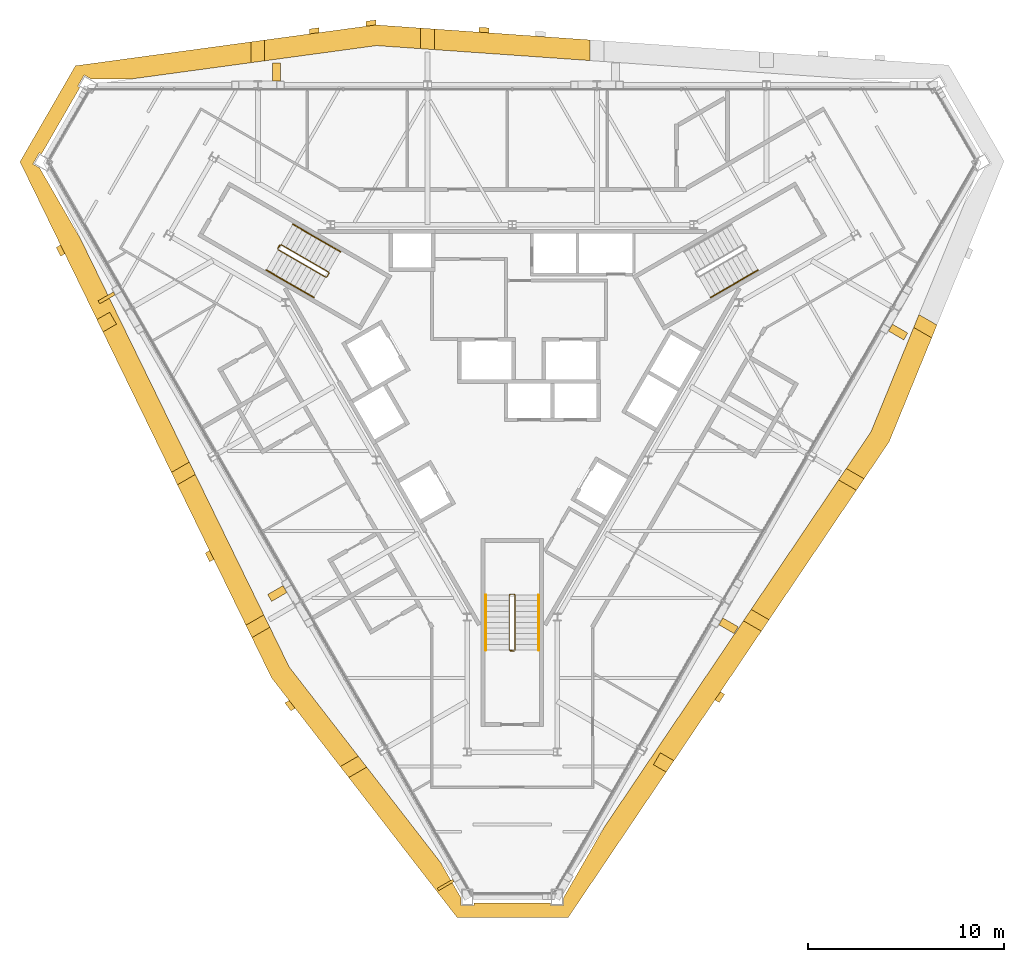
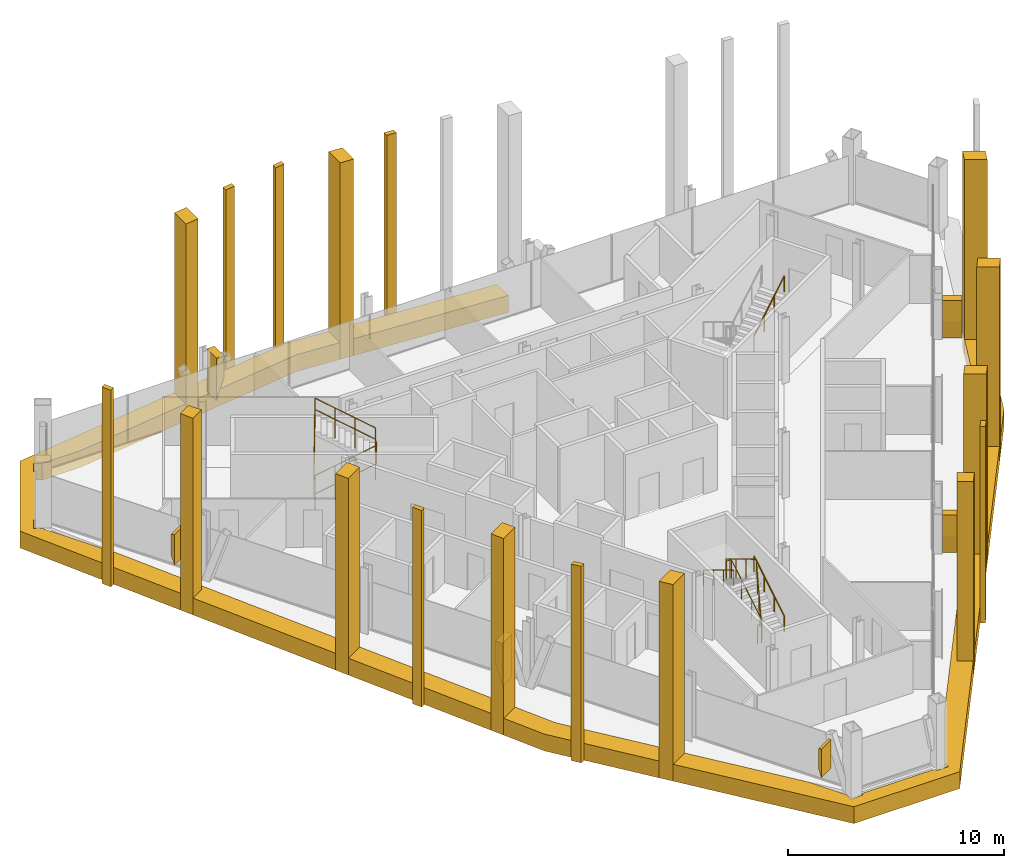
# One storey, part 13 of 14: 31 coverings, 7 railings.
"""IFC4 building model written with IfcOpenShell, lengths in metres."""

from ifc_helpers import new_model, si_unit, direction, frame, origin, origin_2d, place, context, subcontext, project, spatial, polyline, circle, outline, extrude, material, layer, layer_set, type_object, element, save


model = new_model("IFC4")

# Units and contexts
model_context = context("Model", 3, precision=1e-05, world=origin(), true_north=direction((0.0, 1.0)))
body_context = subcontext(model_context, "Body", "Model", "MODEL_VIEW")
ifc_project = project(units=[si_unit("LENGTHUNIT", "METRE"), si_unit("AREAUNIT", "SQUARE_METRE"), si_unit("VOLUMEUNIT", "CUBIC_METRE"), si_unit("PLANEANGLEUNIT", "RADIAN"), si_unit("MASSUNIT", "GRAM", prefix="KILO")], contexts=[model_context])

# Site, building, storey
site_placement = place(None, origin())
site = spatial("IfcSite", under=ifc_project, at=site_placement, CompositionType="ELEMENT")
building_placement = place(site_placement, origin())
building = spatial("IfcBuilding", under=site, at=building_placement, Name="Verrane Prism Tower", CompositionType="ELEMENT")
storey_placement = place(building_placement, frame((0.0, 0.0, 206.39990234375)))
storey = spatial("IfcBuildingStorey", under=building, at=storey_placement, Name="L51", CompositionType="ELEMENT", Elevation=206.39990234375)

# Railings
ifc_material_1 = material(Name="Steel A36 rail and posts, no infill", Category="steel")
railing_type_1 = type_object("IfcRailingType", Name="Stair guard 1100 steel rail and posts", PredefinedType="GUARDRAIL", material=ifc_material_1)
railing_1_placement = place(storey_placement, frame((-11.939453125, 6.72021484375, 0.168212890625)))
element("IfcRailing", 1, at=railing_1_placement, inside=storey, type_object=railing_type_1, Name="Stair 2 guard", PredefinedType="GUARDRAIL", context=body_context, shape_type="SweptSolid", body=[
    extrude(circle(Radius=0.02392578125, at=origin_2d()), frame((0.0, 0.0, 1.076171875), z_axis=(0.742366697286, -0.42866220388, 0.514917859203), x_axis=(0.500049511043, 0.865996816683, 0.0)), (0.0, 0.0, 1.0), 3.266357421875),
    extrude(circle(Radius=0.02392578125, at=origin_2d()), frame((2.4248046875, -1.400146484375, 2.7578125), z_axis=(0.965948051503, 0.258736085224, 0.0), x_axis=(-0.258736085224, 0.965948051503, 0.0)), (0.0, 0.0, 1.0), 0.07080078125),
    extrude(circle(Radius=0.02392578125, at=origin_2d()), frame((2.4931640625, -1.3818359375, 2.7578125), z_axis=(0.499158860599, 0.866510491504, 0.0), x_axis=(-0.866510491504, 0.499158860599, 0.0)), (0.0, 0.0, 1.0), 0.199951171875),
    extrude(circle(Radius=0.02392578125, at=origin_2d()), frame((2.593017578125, -1.20849609375, 2.7578125), z_axis=(-0.100385596638, 0.373434419493, 0.922209014446), x_axis=(-0.965715946433, -0.259601060869, 0.0)), (0.0, 0.0, 1.0), 0.182373046875),
    extrude(circle(Radius=0.02392578125, at=origin_2d()), frame((2.57470703125, -1.140380859375, 2.92626953125), z_axis=(-0.742366697286, 0.42866220388, 0.514917859203), x_axis=(-0.500049511043, -0.865996816683, 0.0)), (0.0, 0.0, 1.0), 3.266357421875),
    extrude(circle(Radius=0.02392578125, at=origin_2d()), frame((0.14990234375, 0.259765625, 4.60791015625), z_axis=(-0.045352972709, -0.05167210969, -0.997633750906), x_axis=(0.751567565678, -0.659656118156, 0.0)), (0.0, 0.0, 1.0), 3.708984375),
    extrude(circle(Radius=0.02392578125, at=origin_2d()), frame((-0.018310546875, 0.068115234375, 0.90771484375), z_axis=(0.499158860599, 0.866510491504, 0.0), x_axis=(-0.866510491504, 0.499158860599, 0.0)), (0.0, 0.0, 1.0), 0.199951171875),
    extrude(circle(Radius=0.02099609375, at=origin_2d()), origin(), (0.0, 0.0, 1.0), 1.052001953125),
    extrude(circle(Radius=0.02099609375, at=origin_2d()), frame((0.808349609375, -0.466796875, 0.560546875)), (0.0, 0.0, 1.0), 1.052001953125),
    extrude(circle(Radius=0.02099609375, at=origin_2d()), frame((1.616455078125, -0.933349609375, 1.121337890625)), (0.0, 0.0, 1.0), 1.052001953125),
    extrude(circle(Radius=0.02099609375, at=origin_2d()), frame((2.4248046875, -1.400146484375, 1.681884765625)), (0.0, 0.0, 1.0), 1.052001953125),
    extrude(circle(Radius=0.02099609375, at=origin_2d()), frame((2.4931640625, -1.3818359375, 1.681884765625)), (0.0, 0.0, 1.0), 1.052001953125),
    extrude(circle(Radius=0.02099609375, at=origin_2d()), frame((2.593017578125, -1.20849609375, 1.681884765625)), (0.0, 0.0, 1.0), 1.052001953125),
    extrude(circle(Radius=0.02099609375, at=origin_2d()), frame((2.57470703125, -1.140380859375, 1.85009765625)), (0.0, 0.0, 1.0), 1.052001953125),
    extrude(circle(Radius=0.02099609375, at=origin_2d()), frame((1.766357421875, -0.673583984375, 2.41064453125)), (0.0, 0.0, 1.0), 1.052001953125),
    extrude(circle(Radius=0.02099609375, at=origin_2d()), frame((0.958251953125, -0.20703125, 2.971435546875)), (0.0, 0.0, 1.0), 1.052001953125),
    extrude(circle(Radius=0.02099609375, at=origin_2d()), frame((0.14990234375, 0.259765625, 3.531982421875)), (0.0, 0.0, 1.0), 1.052001953125),
    extrude(circle(Radius=0.02099609375, at=origin_2d()), frame((0.10791015625, 0.2119140625, 2.60693359375)), (0.0, 0.0, 1.0), 1.052001953125),
    extrude(circle(Radius=0.02099609375, at=origin_2d()), frame((0.06591796875, 0.1640625, 1.681884765625)), (0.0, 0.0, 1.0), 1.052001953125),
    extrude(circle(Radius=0.02099609375, at=origin_2d()), frame((0.023681640625, 0.115966796875, 0.7568359375)), (0.0, 0.0, 1.0), 1.052001953125),
    extrude(circle(Radius=0.02099609375, at=origin_2d()), frame((-0.018310546875, 0.068115234375, -0.168212890625)), (0.0, 0.0, 1.0), 1.052001953125),
    extrude(circle(Radius=0.02099609375, at=origin_2d()), frame((0.08154296875, 0.241455078125, -0.168212890625)), (0.0, 0.0, 1.0), 1.052001953125),
])
railing_2_placement = place(storey_placement, frame((0.14990234375, -13.699951171875, 0.168212890625)))
element("IfcRailing", 2, at=railing_2_placement, inside=storey, type_object=railing_type_1, Name="Stair 3 guard", PredefinedType="GUARDRAIL", context=body_context, shape_type="SweptSolid", body=[
    extrude(circle(Radius=0.02392578125, at=origin_2d()), frame((0.0, 0.0, 1.076171875), z_axis=(0.0, 0.857242210791, 0.514913383045), x_axis=(-1.0, 0.0, 0.0)), (0.0, 0.0, 1.0), 3.266357421875),
    extrude(circle(Radius=0.02392578125, at=origin_2d()), frame((0.0, 2.800048828125, 2.7578125), z_axis=(-0.707106781187, 0.707106781187, 0.0), x_axis=(-0.707106781187, -0.707106781187, 0.0)), (0.0, 0.0, 1.0), 0.0703125),
    extrude(circle(Radius=0.02392578125, at=origin_2d()), frame((-0.0498046875, 2.849853515625, 2.7578125), z_axis=(-1.0, 0.0, 0.0), x_axis=(0.0, -1.0, 0.0)), (0.0, 0.0, 1.0), 0.2001953125),
    extrude(circle(Radius=0.02392578125, at=origin_2d()), frame((-0.25, 2.849853515625, 2.7578125), z_axis=(-0.273106073848, -0.273106073848, 0.922402376869), x_axis=(0.707106781187, -0.707106781187, 0.0)), (0.0, 0.0, 1.0), 0.182373046875),
    extrude(circle(Radius=0.02392578125, at=origin_2d()), frame((-0.2998046875, 2.800048828125, 2.92626953125), z_axis=(0.0, -0.857242210791, 0.514913383045), x_axis=(1.0, 0.0, 0.0)), (0.0, 0.0, 1.0), 3.266357421875),
    extrude(circle(Radius=0.02392578125, at=origin_2d()), frame((-0.2998046875, 0.0, 4.60791015625), z_axis=(0.067404178178, -0.013494000514, -0.997634496554), x_axis=(0.196300278283, 0.98054382908, 0.0)), (0.0, 0.0, 1.0), 3.708984375),
    extrude(circle(Radius=0.02392578125, at=origin_2d()), frame((-0.0498046875, -0.050048828125, 0.90771484375), z_axis=(-1.0, 0.0, 0.0), x_axis=(0.0, -1.0, 0.0)), (0.0, 0.0, 1.0), 0.2001953125),
    extrude(circle(Radius=0.02099609375, at=origin_2d()), origin(), (0.0, 0.0, 1.0), 1.052001953125),
    extrude(circle(Radius=0.02099609375, at=origin_2d()), frame((0.0, 0.933349609375, 0.560546875)), (0.0, 0.0, 1.0), 1.052001953125),
    extrude(circle(Radius=0.02099609375, at=origin_2d()), frame((0.0, 1.86669921875, 1.121337890625)), (0.0, 0.0, 1.0), 1.052001953125),
    extrude(circle(Radius=0.02099609375, at=origin_2d()), frame((0.0, 2.800048828125, 1.681884765625)), (0.0, 0.0, 1.0), 1.052001953125),
    extrude(circle(Radius=0.02099609375, at=origin_2d()), frame((-0.0498046875, 2.849853515625, 1.681884765625)), (0.0, 0.0, 1.0), 1.052001953125),
    extrude(circle(Radius=0.02099609375, at=origin_2d()), frame((-0.25, 2.849853515625, 1.681884765625)), (0.0, 0.0, 1.0), 1.052001953125),
    extrude(circle(Radius=0.02099609375, at=origin_2d()), frame((-0.2998046875, 2.800048828125, 1.85009765625)), (0.0, 0.0, 1.0), 1.052001953125),
    extrude(circle(Radius=0.02099609375, at=origin_2d()), frame((-0.2998046875, 1.86669921875, 2.41064453125)), (0.0, 0.0, 1.0), 1.052001953125),
    extrude(circle(Radius=0.02099609375, at=origin_2d()), frame((-0.2998046875, 0.933349609375, 2.971435546875)), (0.0, 0.0, 1.0), 1.052001953125),
    extrude(circle(Radius=0.02099609375, at=origin_2d()), frame((-0.2998046875, 0.0, 3.531982421875)), (0.0, 0.0, 1.0), 1.052001953125),
    extrude(circle(Radius=0.02099609375, at=origin_2d()), frame((-0.2373046875, -0.012451171875, 2.60693359375)), (0.0, 0.0, 1.0), 1.052001953125),
    extrude(circle(Radius=0.02099609375, at=origin_2d()), frame((-0.1748046875, -0.02490234375, 1.681884765625)), (0.0, 0.0, 1.0), 1.052001953125),
    extrude(circle(Radius=0.02099609375, at=origin_2d()), frame((-0.1123046875, -0.03759765625, 0.7568359375)), (0.0, 0.0, 1.0), 1.052001953125),
    extrude(circle(Radius=0.02099609375, at=origin_2d()), frame((-0.0498046875, -0.050048828125, -0.168212890625)), (0.0, 0.0, 1.0), 1.052001953125),
    extrude(circle(Radius=0.02099609375, at=origin_2d()), frame((-0.25, -0.050048828125, -0.168212890625)), (0.0, 0.0, 1.0), 1.052001953125),
])
ifc_material_2 = material(Name="Steel A36 tube", Category="steel")
railing_type_2 = type_object("IfcRailingType", Name="Stair handrail 900 steel tube", PredefinedType="HANDRAIL", material=ifc_material_2)
railing_3_placement = place(storey_placement, frame((10.11474609375, 4.28076171875, 2.018310546875)))
element("IfcRailing", 3, at=railing_3_placement, inside=storey, type_object=railing_type_2, Name="Stair 1 handrail", PredefinedType="HANDRAIL", context=body_context, shape_type="SweptSolid", body=[
    extrude(circle(Radius=0.02392578125, at=origin_2d()), frame((0.0, 0.0, 0.8759765625), z_axis=(0.742366697286, 0.42866220388, 0.514917859203), x_axis=(-0.500049511043, 0.865996816683, 0.0)), (0.0, 0.0, 1.0), 3.266357421875),
    extrude(circle(Radius=0.02099609375, at=origin_2d()), origin(), (0.0, 0.0, 1.0), 0.851806640625),
    extrude(circle(Radius=0.02099609375, at=origin_2d()), frame((0.808349609375, 0.466796875, 0.560546875)), (0.0, 0.0, 1.0), 0.851806640625),
    extrude(circle(Radius=0.02099609375, at=origin_2d()), frame((1.616455078125, 0.933349609375, 1.121337890625)), (0.0, 0.0, 1.0), 0.851806640625),
    extrude(circle(Radius=0.02099609375, at=origin_2d()), frame((2.4248046875, 1.400146484375, 1.681884765625)), (0.0, 0.0, 1.0), 0.851806640625),
])
railing_4_placement = place(storey_placement, frame((-12.53955078125, 5.680908203125, 0.168212890625)))
element("IfcRailing", 4, at=railing_4_placement, inside=storey, type_object=railing_type_2, Name="Stair 2 handrail", PredefinedType="HANDRAIL", context=body_context, shape_type="SweptSolid", body=[
    extrude(circle(Radius=0.02392578125, at=origin_2d()), frame((0.0, 0.0, 0.8759765625), z_axis=(0.742366697286, -0.42866220388, 0.514917859203), x_axis=(0.500049511043, 0.865996816683, 0.0)), (0.0, 0.0, 1.0), 3.266357421875),
    extrude(circle(Radius=0.02099609375, at=origin_2d()), origin(), (0.0, 0.0, 1.0), 0.851806640625),
    extrude(circle(Radius=0.02099609375, at=origin_2d()), frame((0.808349609375, -0.466796875, 0.560546875)), (0.0, 0.0, 1.0), 0.851806640625),
    extrude(circle(Radius=0.02099609375, at=origin_2d()), frame((1.616455078125, -0.933349609375, 1.121337890625)), (0.0, 0.0, 1.0), 0.851806640625),
    extrude(circle(Radius=0.02099609375, at=origin_2d()), frame((2.4248046875, -1.400146484375, 1.681884765625)), (0.0, 0.0, 1.0), 0.851806640625),
])
railing_5_placement = place(storey_placement, frame((-8.7646484375, 6.619140625, 2.018310546875)))
element("IfcRailing", 5, at=railing_5_placement, inside=storey, type_object=railing_type_2, Name="Stair 2 handrail", PredefinedType="HANDRAIL", context=body_context, shape_type="SweptSolid", body=[
    extrude(circle(Radius=0.02392578125, at=origin_2d()), frame((0.0, 0.0, 0.8759765625), z_axis=(-0.742390482028, 0.42860119049, 0.514934356695), x_axis=(-0.49998411664, -0.866034573852, 0.0)), (0.0, 0.0, 1.0), 3.26611328125),
    extrude(circle(Radius=0.02099609375, at=origin_2d()), origin(), (0.0, 0.0, 1.0), 0.851806640625),
    extrude(circle(Radius=0.02099609375, at=origin_2d()), frame((-0.808349609375, 0.466552734375, 0.560546875)), (0.0, 0.0, 1.0), 0.851806640625),
    extrude(circle(Radius=0.02099609375, at=origin_2d()), frame((-1.616455078125, 0.933349609375, 1.121337890625)), (0.0, 0.0, 1.0), 0.851806640625),
    extrude(circle(Radius=0.02099609375, at=origin_2d()), frame((-2.4248046875, 1.39990234375, 1.681884765625)), (0.0, 0.0, 1.0), 0.851806640625),
])
railing_6_placement = place(storey_placement, frame((1.35009765625, -13.699951171875, 0.168212890625)))
element("IfcRailing", 6, at=railing_6_placement, inside=storey, type_object=railing_type_2, Name="Stair 3 handrail", PredefinedType="HANDRAIL", context=body_context, shape_type="SweptSolid", body=[
    extrude(circle(Radius=0.02392578125, at=origin_2d()), frame((0.0, 0.0, 0.8759765625), z_axis=(0.0, 0.857242210791, 0.514913383045), x_axis=(-1.0, 0.0, 0.0)), (0.0, 0.0, 1.0), 3.266357421875),
    extrude(circle(Radius=0.02099609375, at=origin_2d()), origin(), (0.0, 0.0, 1.0), 0.851806640625),
    extrude(circle(Radius=0.02099609375, at=origin_2d()), frame((0.0, 0.933349609375, 0.560546875)), (0.0, 0.0, 1.0), 0.851806640625),
    extrude(circle(Radius=0.02099609375, at=origin_2d()), frame((0.0, 1.86669921875, 1.121337890625)), (0.0, 0.0, 1.0), 0.851806640625),
    extrude(circle(Radius=0.02099609375, at=origin_2d()), frame((0.0, 2.800048828125, 1.681884765625)), (0.0, 0.0, 1.0), 0.851806640625),
])
railing_7_placement = place(storey_placement, frame((-1.35009765625, -10.89990234375, 2.018310546875)))
element("IfcRailing", 7, at=railing_7_placement, inside=storey, type_object=railing_type_2, Name="Stair 3 handrail", PredefinedType="HANDRAIL", context=body_context, shape_type="SweptSolid", body=[
    extrude(circle(Radius=0.02392578125, at=origin_2d()), frame((0.0, 0.0, 0.8759765625), z_axis=(0.0, -0.857242210791, 0.514913383045), x_axis=(1.0, 0.0, 0.0)), (0.0, 0.0, 1.0), 3.266357421875),
    extrude(circle(Radius=0.02099609375, at=origin_2d()), origin(), (0.0, 0.0, 1.0), 0.851806640625),
    extrude(circle(Radius=0.02099609375, at=origin_2d()), frame((0.0, -0.933349609375, 0.560546875)), (0.0, 0.0, 1.0), 0.851806640625),
    extrude(circle(Radius=0.02099609375, at=origin_2d()), frame((0.0, -1.86669921875, 1.121337890625)), (0.0, 0.0, 1.0), 0.851806640625),
    extrude(circle(Radius=0.02099609375, at=origin_2d()), frame((0.0, -2.800048828125, 1.681884765625)), (0.0, 0.0, 1.0), 0.851806640625),
])

# Coverings
ifc_material_3 = material(Name="Warm limestone cladding", Category="masonry")
ifc_layer_1 = layer(ifc_material_3, 0.89990234375)
ifc_layer_set_1 = layer_set([ifc_layer_1], Name="Stone brace fin 900")
covering_type_1 = type_object("IfcCoveringType", Name="Stone brace fin 900", PredefinedType="CLADDING", material=ifc_layer_set_1)
covering_1_placement = place(storey_placement, frame((-12.2216796875, 15.783203125, 0.35107421875), z_axis=(0.0, 0.0, 1.0), x_axis=(1.0, 0.0, 0.0)))
element("IfcCovering", 8, at=covering_1_placement, inside=storey, type_object=covering_type_1, Name="Stone brace fin N4 L51", PredefinedType="CLADDING", context=body_context, shape_type="SweptSolid", body=[
    extrude(outline(polyline([(0.4033203125, 2.39892578125), (0.0, 2.39892578125), (0.0, 0.0), (0.4033203125, 1.2080078125), (0.4033203125, 2.39892578125)])), frame((0.0, 0.449951171875, 0.0), z_axis=(0.0, -1.0, 0.0), x_axis=(1.0, 0.0, 0.0)), (0.0, 0.0, 1.0), 0.89990234375),
])
covering_2_placement = place(storey_placement, frame((-20.643310546875, 4.18896484375, 1.033203125), z_axis=(0.0, 0.0, 1.0), x_axis=(-0.499883169583, 0.866092845351, 0.0)))
element("IfcCovering", 9, at=covering_2_placement, inside=storey, type_object=covering_type_1, Name="Stone brace fin SW1 L51", PredefinedType="CLADDING", context=body_context, shape_type="SweptSolid", body=[
    extrude(outline(polyline([(0.17529296875, 1.716796875), (0.0, 1.716796875), (0.0, 0.0), (0.17529296875, 0.525390625), (0.17529296875, 1.716796875)])), frame((0.0, 0.449951171875, 0.0), z_axis=(0.0, -1.0, 0.0), x_axis=(1.0, 0.0, 0.0)), (0.0, 0.0, 1.0), 0.89990234375),
])
covering_3_placement = place(storey_placement, frame((-11.8798828125, -10.989013671875, 0.351318359375), z_axis=(0.0, 0.0, 1.0), x_axis=(-0.501083980585, 0.865398662121, 0.0)))
element("IfcCovering", 10, at=covering_3_placement, inside=storey, type_object=covering_type_1, Name="Stone brace fin SW3 L51", PredefinedType="CLADDING", context=body_context, shape_type="SweptSolid", body=[
    extrude(outline(polyline([(0.403564453125, 2.398681640625), (0.0, 2.398681640625), (0.0, 0.0), (0.403564453125, 1.2080078125), (0.403564453125, 2.398681640625)])), frame((0.0, 0.449951171875, 0.0), z_axis=(0.0, -1.0, 0.0), x_axis=(1.0, 0.0, 0.0)), (0.0, 0.0, 1.0), 0.89990234375),
])
covering_4_placement = place(storey_placement, frame((-3.36181640625, -25.7412109375, 1.13916015625), z_axis=(0.0, 0.0, 1.0), x_axis=(-0.500074377092, 0.865982457891, 0.0)))
element("IfcCovering", 11, at=covering_4_placement, inside=storey, type_object=covering_type_1, Name="Stone brace fin SW5 L51", PredefinedType="CLADDING", context=body_context, shape_type="SweptSolid", body=[
    extrude(outline(polyline([(0.140380859375, 1.61083984375), (0.0, 1.61083984375), (0.0, 0.0), (0.140380859375, 0.420166015625), (0.140380859375, 1.61083984375)])), frame((0.0, 0.449951171875, 0.0), z_axis=(0.0, -1.0, 0.0), x_axis=(1.0, 0.0, 0.0)), (0.0, 0.0, 1.0), 0.89990234375),
])
for number, where, z_axis, x_axis, name in (
    (12, (11.132080078125, -12.2841796875, 0.3505859375), (0.0, 0.0, 1.0), (-0.499460378964, -0.866336730057, 0.0), "Stone brace fin SE2 L51"),
    (13, (19.7822265625, 2.69580078125, 0.3505859375), (0.0, 0.0, 1.0), (-0.499460378964, -0.866336730057, 0.0), "Stone brace fin SE4 L51"),
):
    element("IfcCovering", number, at=place(storey_placement, frame(where, z_axis=z_axis, x_axis=x_axis)), inside=storey, type_object=covering_type_1, Name=name, PredefinedType="CLADDING", context=body_context, shape_type="SweptSolid", body=[
        extrude(outline(polyline([(0.4033203125, 2.3994140625), (0.0, 2.3994140625), (0.0, 0.0), (0.4033203125, 1.2080078125), (0.4033203125, 2.3994140625)])), frame((0.0, 0.449951171875, 0.0), z_axis=(0.0, -1.0, 0.0), x_axis=(1.0, 0.0, 0.0)), (0.0, 0.0, 1.0), 0.89990234375),
    ])
ifc_material_4 = material(Name="Warm limestone cladding", Category="masonry")
covering_type_2 = type_object("IfcCoveringType", Name="Stone mullion pier 500", PredefinedType="CLADDING", material=ifc_material_4)
covering_5_placement = place(storey_placement, frame((0.0, 0.0, -0.949951171875)))
element("IfcCovering", 14, at=covering_5_placement, inside=storey, type_object=covering_type_2, Name="Stone pier SM-N2.2 L51-L53", PredefinedType="CLADDING", context=body_context, shape_type="SweptSolid", body=[
    extrude(outline(polyline([(-1.691650390625, 17.81640625), (-1.191650390625, 17.78125), (-1.191650390625, 18.03173828125), (-1.691650390625, 18.06689453125), (-1.691650390625, 17.81640625)])), origin(), (0.0, 0.0, 1.0), 11.10009765625),
])
covering_6_placement = place(storey_placement, frame((0.0, 0.0, -0.949951171875)))
element("IfcCovering", 15, at=covering_6_placement, inside=storey, type_object=covering_type_2, Name="Stone pier SM-N3.1 L51-L53", PredefinedType="CLADDING", context=body_context, shape_type="SweptSolid", body=[
    extrude(outline(polyline([(-7.4580078125, 18.116455078125), (-6.9580078125, 18.1845703125), (-6.9580078125, 18.435791015625), (-6.96240234375, 18.436279296875), (-7.4580078125, 18.368896484375), (-7.4580078125, 18.116455078125)])), origin(), (0.0, 0.0, 1.0), 11.10009765625),
])
covering_7_placement = place(storey_placement, frame((0.0, 0.0, -0.949951171875)))
element("IfcCovering", 16, at=covering_7_placement, inside=storey, type_object=covering_type_2, Name="Stone pier SM-N3.2 L51-L53", PredefinedType="CLADDING", context=body_context, shape_type="SweptSolid", body=[
    extrude(outline(polyline([(-10.34130859375, 17.724365234375), (-9.84130859375, 17.792236328125), (-9.84130859375, 18.044677734375), (-10.34130859375, 17.9765625), (-10.34130859375, 17.724365234375)])), origin(), (0.0, 0.0, 1.0), 11.10009765625),
])
covering_8_placement = place(storey_placement, frame((0.0, 0.0, -0.949951171875)))
element("IfcCovering", 17, at=covering_8_placement, inside=storey, type_object=covering_type_2, Name="Stone pier SM-SW0.1 L51-L53", PredefinedType="CLADDING", context=body_context, shape_type="SweptSolid", body=[
    extrude(outline(polyline([(-22.816650390625, 6.513427734375), (-23.036376953125, 6.964111328125), (-23.25341796875, 6.838623046875), (-23.03369140625, 6.38818359375), (-22.816650390625, 6.513427734375)])), origin(), (0.0, 0.0, 1.0), 11.10009765625),
])
covering_9_placement = place(storey_placement, frame((0.0, 0.0, -0.949951171875)))
element("IfcCovering", 18, at=covering_9_placement, inside=storey, type_object=covering_type_2, Name="Stone pier SM-SW2.1 L51-L53", PredefinedType="CLADDING", context=body_context, shape_type="SweptSolid", body=[
    extrude(outline(polyline([(-15.216796875, -9.07421875), (-15.4365234375, -8.62353515625), (-15.653564453125, -8.748779296875), (-15.433837890625, -9.199462890625), (-15.216796875, -9.07421875)])), origin(), (0.0, 0.0, 1.0), 11.10009765625),
])
covering_10_placement = place(storey_placement, frame((0.0, 0.0, -0.949951171875)))
element("IfcCovering", 19, at=covering_10_placement, inside=storey, type_object=covering_type_2, Name="Stone pier SM-SW3.1 L51-L53", PredefinedType="CLADDING", context=body_context, shape_type="SweptSolid", body=[
    extrude(outline(polyline([(-11.069580078125, -16.66748046875), (-11.378662109375, -16.2685546875), (-11.59716796875, -16.39453125), (-11.2880859375, -16.793701171875), (-11.069580078125, -16.66748046875)])), origin(), (0.0, 0.0, 1.0), 11.10009765625),
])
covering_11_placement = place(storey_placement, frame((0.0, 0.0, -0.949951171875)))
element("IfcCovering", 20, at=covering_11_placement, inside=storey, type_object=covering_type_2, Name="Stone pier SM-SE1.1 L51-L53", PredefinedType="CLADDING", context=body_context, shape_type="SweptSolid", body=[
    extrude(outline(polyline([(10.6171875, -15.828857421875), (10.3369140625, -16.244384765625), (10.553955078125, -16.36962890625), (10.834228515625, -15.9541015625), (10.6171875, -15.828857421875)])), origin(), (0.0, 0.0, 1.0), 11.10009765625),
])
ifc_material_5 = material(Name="Warm limestone cladding", Category="masonry")
covering_type_3 = type_object("IfcCoveringType", Name="Stone pier 700", PredefinedType="CLADDING", material=ifc_material_5)
covering_12_placement = place(storey_placement, frame((0.0, 0.0, -0.949951171875)))
element("IfcCovering", 21, at=covering_12_placement, inside=storey, type_object=covering_type_3, Name="Stone pier PC-N3 L51-L53", PredefinedType="CLADDING", context=body_context, shape_type="SweptSolid", body=[
    extrude(outline(polyline([(-4.6748046875, 18.025390625), (-4.6748046875, 16.97265625), (-3.974853515625, 16.923583984375), (-3.974853515625, 17.976318359375), (-4.6748046875, 18.025390625)])), origin(), (0.0, 0.0, 1.0), 11.10009765625),
])
covering_13_placement = place(storey_placement, frame((0.0, 0.0, -0.949951171875)))
element("IfcCovering", 22, at=covering_13_placement, inside=storey, type_object=covering_type_3, Name="Stone pier PC-N4 L51-L53", PredefinedType="CLADDING", context=body_context, shape_type="SweptSolid", body=[
    extrude(outline(polyline([(-13.32421875, 17.318603515625), (-13.32421875, 16.2587890625), (-12.624267578125, 16.35400390625), (-12.624267578125, 17.413818359375), (-13.32421875, 17.318603515625)])), origin(), (0.0, 0.0, 1.0), 11.10009765625),
])
covering_14_placement = place(storey_placement, frame((0.0, 0.0, -0.949951171875)))
element("IfcCovering", 23, at=covering_14_placement, inside=storey, type_object=covering_type_3, Name="Stone pier PC-SW1 L51-L53", PredefinedType="CLADDING", context=body_context, shape_type="SweptSolid", body=[
    extrude(outline(polyline([(-20.1826171875, 2.9248046875), (-20.28564453125, 3.10302734375), (-20.53271484375, 3.531005859375), (-21.180419921875, 3.1572265625), (-20.872802734375, 2.5263671875), (-20.1826171875, 2.9248046875)])), origin(), (0.0, 0.0, 1.0), 11.10009765625),
])
covering_15_placement = place(storey_placement, frame((0.0, 0.0, -0.949951171875)))
element("IfcCovering", 24, at=covering_15_placement, inside=storey, type_object=covering_type_3, Name="Stone pier PC-SW2 L51-L53", PredefinedType="CLADDING", context=body_context, shape_type="SweptSolid", body=[
    extrude(outline(polyline([(-17.072998046875, -5.267333984375), (-16.161376953125, -4.7412109375), (-16.46875, -4.1103515625), (-17.38037109375, -4.63671875), (-17.072998046875, -5.267333984375)])), origin(), (0.0, 0.0, 1.0), 11.10009765625),
])
covering_16_placement = place(storey_placement, frame((0.0, 0.0, -0.949951171875)))
element("IfcCovering", 25, at=covering_16_placement, inside=storey, type_object=covering_type_3, Name="Stone pier PC-SW3 L51-L53", PredefinedType="CLADDING", context=body_context, shape_type="SweptSolid", body=[
    extrude(outline(polyline([(-13.27294921875, -13.06103515625), (-12.361328125, -12.534912109375), (-12.6689453125, -11.904052734375), (-13.58056640625, -12.430419921875), (-13.27294921875, -13.06103515625)])), origin(), (0.0, 0.0, 1.0), 11.10009765625),
])
covering_17_placement = place(storey_placement, frame((0.0, 0.0, -0.949951171875)))
element("IfcCovering", 26, at=covering_17_placement, inside=storey, type_object=covering_type_3, Name="Stone pier PC-SW4 L51-L53", PredefinedType="CLADDING", context=body_context, shape_type="SweptSolid", body=[
    extrude(outline(polyline([(-8.336181640625, -20.198486328125), (-7.41845703125, -19.668701171875), (-7.850830078125, -19.110107421875), (-8.7685546875, -19.639892578125), (-8.336181640625, -20.198486328125)])), origin(), (0.0, 0.0, 1.0), 11.10009765625),
])
covering_18_placement = place(storey_placement, frame((0.0, 0.0, -0.949951171875)))
element("IfcCovering", 27, at=covering_18_placement, inside=storey, type_object=covering_type_3, Name="Stone pier PC-SE1 L51-L53", PredefinedType="CLADDING", context=body_context, shape_type="SweptSolid", body=[
    extrude(outline(polyline([(7.5546875, -18.93896484375), (7.361083984375, -19.2744140625), (7.20458984375, -19.545166015625), (7.85595703125, -19.92138671875), (8.24853515625, -19.339599609375), (7.5546875, -18.93896484375)])), origin(), (0.0, 0.0, 1.0), 11.10009765625),
])
covering_19_placement = place(storey_placement, frame((0.0, 0.0, -0.949951171875)))
element("IfcCovering", 28, at=covering_19_placement, inside=storey, type_object=covering_type_3, Name="Stone pier PC-SE2 L51-L53", PredefinedType="CLADDING", context=body_context, shape_type="SweptSolid", body=[
    extrude(outline(polyline([(13.09814453125, -12.15185546875), (12.1865234375, -11.62548828125), (11.7939453125, -12.207275390625), (12.70556640625, -12.733642578125), (13.09814453125, -12.15185546875)])), origin(), (0.0, 0.0, 1.0), 11.10009765625),
])
covering_20_placement = place(storey_placement, frame((0.0, 0.0, -0.949951171875)))
element("IfcCovering", 29, at=covering_20_placement, inside=storey, type_object=covering_type_3, Name="Stone pier PC-SE3 L51-L53", PredefinedType="CLADDING", context=body_context, shape_type="SweptSolid", body=[
    extrude(outline(polyline([(17.94775390625, -4.964111328125), (17.0361328125, -4.43798828125), (16.643798828125, -5.01953125), (17.55517578125, -5.5458984375), (17.94775390625, -4.964111328125)])), origin(), (0.0, 0.0, 1.0), 11.10009765625),
])
covering_21_placement = place(storey_placement, frame((0.0, 0.0, -0.949951171875)))
element("IfcCovering", 30, at=covering_21_placement, inside=storey, type_object=covering_type_3, Name="Stone pier PC-SE4 L51-L53", PredefinedType="CLADDING", context=body_context, shape_type="SweptSolid", body=[
    extrude(outline(polyline([(21.660400390625, 2.8798828125), (20.74267578125, 3.409912109375), (20.47509765625, 2.756103515625), (21.392822265625, 2.22607421875), (21.660400390625, 2.8798828125)])), origin(), (0.0, 0.0, 1.0), 11.10009765625),
])
ifc_material_6 = material(Name="Warm limestone cladding", Category="masonry")
ifc_layer_2 = layer(ifc_material_6, 0.449951171875)
ifc_layer_set_2 = layer_set([ifc_layer_2], Name="Stone spandrel band 450")
covering_type_4 = type_object("IfcCoveringType", Name="Stone spandrel band 450", PredefinedType="CLADDING", material=ifc_layer_set_2)
covering_22_placement = place(storey_placement, frame((0.0, 0.0, -0.949951171875)))
element("IfcCovering", 31, at=covering_22_placement, inside=storey, type_object=covering_type_4, Name="Stone spandrel band L51 part 1", PredefinedType="CLADDING", context=body_context, shape_type="SweptSolid", body=[
    extrude(outline(polyline([(2.84912109375, -27.341796875), (7.85595703125, -19.92138671875), (7.20458984375, -19.545166015625), (7.5546875, -18.93896484375), (8.24853515625, -19.339599609375), (12.70556640625, -12.733642578125), (11.7939453125, -12.207275390625), (4.691650390625, -22.73388671875), (3.776611328125, -24.31884765625), (3.77880859375, -24.323974609375), (3.77197265625, -24.326904296875), (2.6201171875, -26.322021484375), (2.6201171875, -26.719970703125), (1.9599609375, -26.719970703125), (1.9599609375, -26.591796875), (-1.9599609375, -26.591796875), (-1.9599609375, -26.719970703125), (-2.6201171875, -26.719970703125), (-2.6201171875, -26.322021484375), (-3.653564453125, -24.53173828125), (-7.41845703125, -19.668701171875), (-8.336181640625, -20.198486328125), (-2.805908203125, -27.341796875), (2.84912109375, -27.341796875)])), origin(), (0.0, 0.0, 1.0), 0.949951171875),
])
covering_23_placement = place(storey_placement, frame((0.0, 0.0, -0.949951171875)))
element("IfcCovering", 32, at=covering_23_placement, inside=storey, type_object=covering_type_4, Name="Stone spandrel band L51 part 3", PredefinedType="CLADDING", context=body_context, shape_type="SweptSolid", body=[
    extrude(outline(polyline([(-17.38037109375, -4.63671875), (-16.46875, -4.1103515625), (-22.033935546875, 7.303955078125), (-24.105224609375, 10.8916015625), (-24.447509765625, 11.089111328125), (-24.117431640625, 11.660888671875), (-24.00927734375, 11.598388671875), (-22.047607421875, 14.995849609375), (-22.157470703125, 15.05908203125), (-21.827392578125, 15.630859375), (-21.4794921875, 15.429931640625), (-19.418212890625, 15.429931640625), (-13.32421875, 16.2587890625), (-13.32421875, 17.318603515625), (-22.275634765625, 16.10107421875), (-25.103271484375, 11.20361328125), (-21.180419921875, 3.1572265625), (-20.53271484375, 3.531005859375), (-20.1826171875, 2.9248046875), (-20.872802734375, 2.5263671875), (-17.38037109375, -4.63671875)])), origin(), (0.0, 0.0, 1.0), 0.949951171875),
])
covering_24_placement = place(storey_placement, frame((0.0, 0.0, -0.949951171875)))
element("IfcCovering", 33, at=covering_24_placement, inside=storey, type_object=covering_type_4, Name="Stone spandrel band L51 part 4", PredefinedType="CLADDING", context=body_context, shape_type="SweptSolid", body=[
    extrude(outline(polyline([(-12.6689453125, -11.904052734375), (-16.161376953125, -4.7412109375), (-17.072998046875, -5.267333984375), (-13.58056640625, -12.430419921875), (-12.6689453125, -11.904052734375)])), origin(), (0.0, 0.0, 1.0), 0.949951171875),
])
covering_25_placement = place(storey_placement, frame((0.0, 0.0, -0.949951171875)))
element("IfcCovering", 34, at=covering_25_placement, inside=storey, type_object=covering_type_4, Name="Stone spandrel band L51 part 5", PredefinedType="CLADDING", context=body_context, shape_type="SweptSolid", body=[
    extrude(outline(polyline([(-7.850830078125, -19.110107421875), (-11.375244140625, -14.5576171875), (-12.361328125, -12.534912109375), (-13.27294921875, -13.06103515625), (-12.271484375, -15.114990234375), (-8.7685546875, -19.639892578125), (-7.850830078125, -19.110107421875)])), origin(), (0.0, 0.0, 1.0), 0.949951171875),
])
covering_26_placement = place(storey_placement, frame((0.0, 0.0, -0.949951171875)))
element("IfcCovering", 35, at=covering_26_placement, inside=storey, type_object=covering_type_4, Name="Stone spandrel band L51 part 6", PredefinedType="CLADDING", context=body_context, shape_type="SweptSolid", body=[
    extrude(outline(polyline([(17.55517578125, -5.5458984375), (16.643798828125, -5.01953125), (12.1865234375, -11.62548828125), (13.09814453125, -12.15185546875), (17.55517578125, -5.5458984375)])), origin(), (0.0, 0.0, 1.0), 0.949951171875),
])
covering_27_placement = place(storey_placement, frame((0.0, 0.0, -0.949951171875)))
element("IfcCovering", 36, at=covering_27_placement, inside=storey, type_object=covering_type_4, Name="Stone spandrel band L51 part 7", PredefinedType="CLADDING", context=body_context, shape_type="SweptSolid", body=[
    extrude(outline(polyline([(21.392822265625, 2.22607421875), (20.47509765625, 2.756103515625), (18.294921875, -2.572509765625), (17.0361328125, -4.43798828125), (17.94775390625, -4.964111328125), (19.2255859375, -3.070068359375), (21.392822265625, 2.22607421875)])), origin(), (0.0, 0.0, 1.0), 0.949951171875),
])
covering_28_placement = place(storey_placement, frame((0.0, 0.0, -0.949951171875)))
element("IfcCovering", 37, at=covering_28_placement, inside=storey, type_object=covering_type_4, Name="Stone spandrel band L51 part 8", PredefinedType="CLADDING", context=body_context, shape_type="SweptSolid", body=[
    extrude(outline(polyline([(-3.974853515625, 16.923583984375), (3.974853515625, 16.36669921875), (3.974853515625, 17.419189453125), (-3.974853515625, 17.976318359375), (-3.974853515625, 16.923583984375)])), origin(), (0.0, 0.0, 1.0), 0.949951171875),
])
covering_29_placement = place(storey_placement, frame((0.0, 0.0, -0.949951171875)))
element("IfcCovering", 38, at=covering_29_placement, inside=storey, type_object=covering_type_4, Name="Stone spandrel band L51 part 9", PredefinedType="CLADDING", context=body_context, shape_type="SweptSolid", body=[
    extrude(outline(polyline([(-12.624267578125, 16.35400390625), (-6.919677734375, 17.1298828125), (-4.6748046875, 16.97265625), (-4.6748046875, 18.025390625), (-6.9541015625, 18.18505859375), (-12.624267578125, 17.413818359375), (-12.624267578125, 16.35400390625)])), origin(), (0.0, 0.0, 1.0), 0.949951171875),
])

save(model, "model.ifc")
